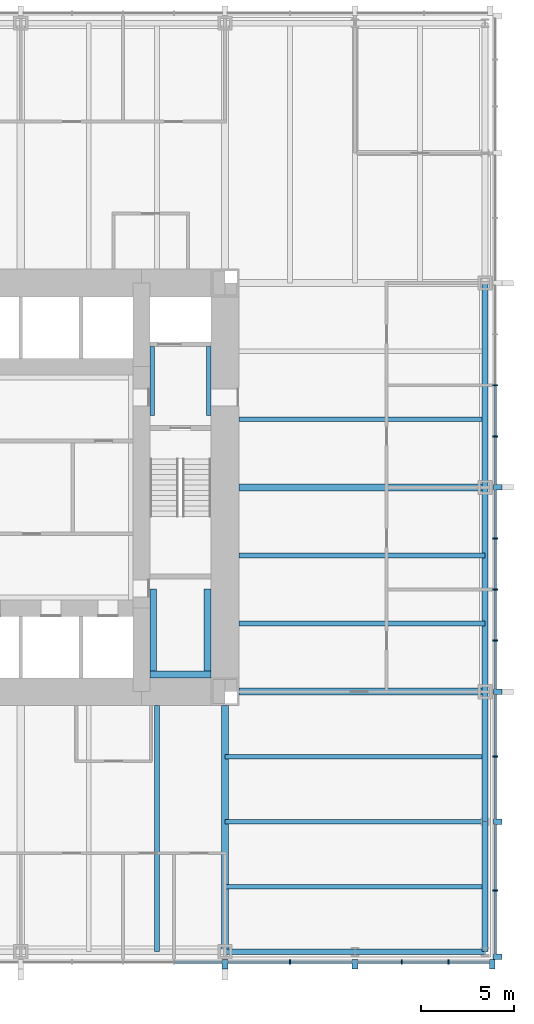
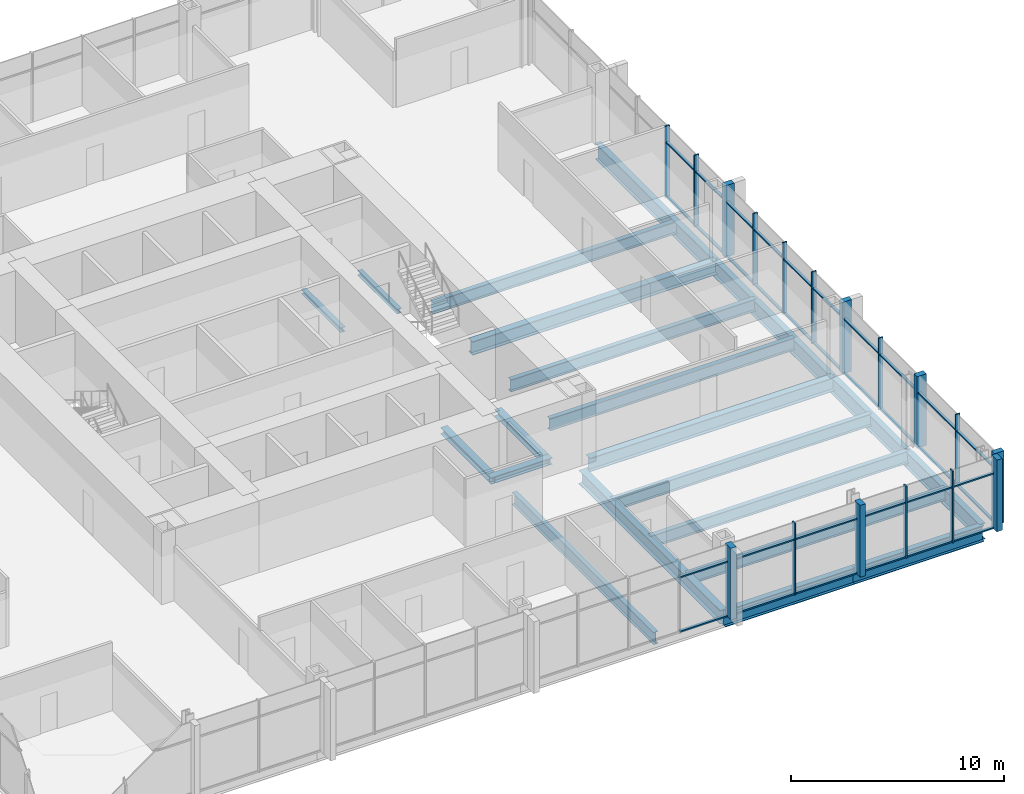
# One storey, part 4 of 12: 49 members, 21 beams, 2 elements without a shape of their own.
"""IFC4 building model written with IfcOpenShell, lengths in metres."""

from ifc_helpers import new_model, si_unit, direction, frame, origin, origin_2d, place, context, subcontext, project, spatial, rectangle, i_section, extrude, material, material_profile, profile_set, type_object, element, aggregate, save


model = new_model("IFC4")

# Units and contexts
model_context = context("Model", 3, precision=1e-05, world=origin(), true_north=direction((0.0, 1.0)))
body_context = subcontext(model_context, "Body", "Model", "MODEL_VIEW")
ifc_project = project(units=[si_unit("LENGTHUNIT", "METRE"), si_unit("AREAUNIT", "SQUARE_METRE"), si_unit("VOLUMEUNIT", "CUBIC_METRE"), si_unit("PLANEANGLEUNIT", "RADIAN"), si_unit("MASSUNIT", "GRAM", prefix="KILO")], contexts=[model_context])

# Site, building, storey
site_placement = place(None, origin())
site = spatial("IfcSite", under=ifc_project, at=site_placement, CompositionType="ELEMENT")
building_placement = place(site_placement, origin())
building = spatial("IfcBuilding", under=site, at=building_placement, Name="Trevanion Tower", CompositionType="ELEMENT")
storey_placement = place(building_placement, frame((0.0, 0.0, 77.5)))
storey = spatial("IfcBuildingStorey", under=building, at=storey_placement, Name="L18", CompositionType="ELEMENT", Elevation=77.5)

# Beams
ifc_material_1 = material(Name="Steel ASTM A992 Grade 50", Category="steel")
ifc_material_profile_1 = material_profile(ifc_material_1, i_section(OverallWidth=0.25390625, OverallDepth=0.700927734375, WebThickness=0.015380859375, FlangeThickness=0.02783203125, at=origin_2d()), Name="W27X129")
ifc_profile_set_1 = profile_set([ifc_material_profile_1], Name="Steel ASTM A992 Grade 50")
beam_type_1 = type_object("IfcBeamType", Name="B3 W27X129", PredefinedType="BEAM", material=ifc_profile_set_1)
for number, where, z_axis, x_axis, name in (
    (1, (11.75, -7.333251953125, -0.54052734375), (1.0, 0.0, 0.0), (0.0, 1.0, 0.0), "B3 L18"),
    (2, (11.75, -3.666748046875, -0.54052734375), (1.0, 0.0, 0.0), (0.0, 1.0, 0.0), "B3 L18"),
    (3, (11.75, 3.666748046875, -0.54052734375), (1.0, 0.0, 0.0), (0.0, 1.0, 0.0), "B3 L18"),
    (4, (7.333251953125, -11.75, -0.54052734375), (0.0, -1.0, 0.0), (1.0, 0.0, 0.0), "B3 L18"),
):
    element("IfcBeam", number, at=place(storey_placement, frame(where, z_axis=z_axis, x_axis=x_axis)), inside=storey, type_object=beam_type_1, Name=name, PredefinedType="BEAM", context=body_context, shape_type="SweptSolid", body=[
        extrude(i_section(OverallWidth=0.25390625, OverallDepth=0.700927734375, WebThickness=0.015380859375, FlangeThickness=0.02783203125, at=origin_2d()), origin(), (0.0, 0.0, 1.0), 13.25),
    ])
ifc_material_2 = material(Name="Steel ASTM A992 Grade 50", Category="steel")
ifc_material_profile_2 = material_profile(ifc_material_2, i_section(OverallWidth=0.256591796875, OverallDepth=0.693359375, WebThickness=0.014404296875, FlangeThickness=0.023681640625, at=origin_2d()), Name="W27X114")
ifc_profile_set_2 = profile_set([ifc_material_profile_2], Name="Steel ASTM A992 Grade 50")
beam_type_2 = type_object("IfcBeamType", Name="B4 W27X114", PredefinedType="BEAM", material=ifc_profile_set_2)
for number, where, z_axis, x_axis, name in (
    (5, (11.0, -14.5, -0.53662109375), (1.0, 0.0, 0.0), (0.0, 1.0, 0.0), "B4 L18"),
    (6, (11.0, -18.0, -0.53662109375), (1.0, 0.0, 0.0), (0.0, 1.0, 0.0), "B4 L18"),
    (7, (11.0, -21.5, -0.53662109375), (1.0, 0.0, 0.0), (0.0, 1.0, 0.0), "B4 L18"),
):
    element("IfcBeam", number, at=place(storey_placement, frame(where, z_axis=z_axis, x_axis=x_axis)), inside=storey, type_object=beam_type_2, Name=name, PredefinedType="BEAM", context=body_context, shape_type="SweptSolid", body=[
        extrude(i_section(OverallWidth=0.256591796875, OverallDepth=0.693359375, WebThickness=0.014404296875, FlangeThickness=0.023681640625, at=origin_2d()), origin(), (0.0, 0.0, 1.0), 14.0),
    ])

# Curtain wall, members
ifc_material_3 = material(Name="Aluminium and glass", Category="aluminium")
curtain_wall_type = type_object("IfcCurtainWallType", Name="CW1 curtain wall", PredefinedType="USERDEFINED", material=ifc_material_3)
curtain_wall_1_placement = place(storey_placement, origin())
curtain_wall_1 = element("IfcCurtainWall", 8, at=curtain_wall_1_placement, inside=storey, type_object=curtain_wall_type, Name="CW1 L18 0", ObjectType="UNITISED CURTAIN WALL", PredefinedType="USERDEFINED")
ifc_material_4 = material(Name="Aluminium extrusion, anodised bronze", Category="aluminium")
ifc_material_profile_3 = material_profile(ifc_material_4, rectangle(XDim=0.074951171875, YDim=0.25, at=origin_2d()), Name="CW1 mullion")
ifc_profile_set_3 = profile_set([ifc_material_profile_3], Name="Aluminium extrusion, anodised bronze")
member_type_1 = type_object("IfcMemberType", Name="CW1 mullion", PredefinedType="MULLION", material=ifc_profile_set_3)
member_1_placement = place(storey_placement, frame((25.550048828125, -21.7099609375, -0.18994140625), z_axis=(0.0, 0.0, 1.0), x_axis=(0.0, 1.0, 0.0)))
member_1 = element("IfcMember", 9, at=member_1_placement, type_object=member_type_1, Name="CW1 mullion 2", PredefinedType="MULLION", context=body_context, shape_type="SweptSolid", body=[
    extrude(rectangle(XDim=0.074951171875, YDim=0.25, at=origin_2d()), origin(), (0.0, 0.0, 1.0), 4.099853515625),
])
member_2_placement = place(storey_placement, frame((25.550048828125, -14.5, -0.18994140625), z_axis=(0.0, 0.0, 1.0), x_axis=(0.0, 1.0, 0.0)))
member_2 = element("IfcMember", 10, at=member_2_placement, type_object=member_type_1, Name="CW1 mullion 4", PredefinedType="MULLION", context=body_context, shape_type="SweptSolid", body=[
    extrude(rectangle(XDim=0.074951171875, YDim=0.25, at=origin_2d()), origin(), (0.0, 0.0, 1.0), 4.099853515625),
])
member_3_placement = place(storey_placement, frame((25.550048828125, -8.25, -0.18994140625), z_axis=(0.0, 0.0, 1.0), x_axis=(0.0, 1.0, 0.0)))
member_3 = element("IfcMember", 11, at=member_3_placement, type_object=member_type_1, Name="CW1 mullion 6", PredefinedType="MULLION", context=body_context, shape_type="SweptSolid", body=[
    extrude(rectangle(XDim=0.074951171875, YDim=0.25, at=origin_2d()), origin(), (0.0, 0.0, 1.0), 4.099853515625),
])
member_4_placement = place(storey_placement, frame((25.550048828125, -5.5, -0.18994140625), z_axis=(0.0, 0.0, 1.0), x_axis=(0.0, 1.0, 0.0)))
member_4 = element("IfcMember", 12, at=member_4_placement, type_object=member_type_1, Name="CW1 mullion 7", PredefinedType="MULLION", context=body_context, shape_type="SweptSolid", body=[
    extrude(rectangle(XDim=0.074951171875, YDim=0.25, at=origin_2d()), origin(), (0.0, 0.0, 1.0), 4.099853515625),
])
member_5_placement = place(storey_placement, frame((25.550048828125, -2.75, -0.18994140625), z_axis=(0.0, 0.0, 1.0), x_axis=(0.0, 1.0, 0.0)))
member_5 = element("IfcMember", 13, at=member_5_placement, type_object=member_type_1, Name="CW1 mullion 8", PredefinedType="MULLION", context=body_context, shape_type="SweptSolid", body=[
    extrude(rectangle(XDim=0.074951171875, YDim=0.25, at=origin_2d()), origin(), (0.0, 0.0, 1.0), 4.099853515625),
])
member_6_placement = place(storey_placement, frame((25.550048828125, 2.75, -0.18994140625), z_axis=(0.0, 0.0, 1.0), x_axis=(0.0, 1.0, 0.0)))
member_6 = element("IfcMember", 14, at=member_6_placement, type_object=member_type_1, Name="CW1 mullion 10", PredefinedType="MULLION", context=body_context, shape_type="SweptSolid", body=[
    extrude(rectangle(XDim=0.074951171875, YDim=0.25, at=origin_2d()), origin(), (0.0, 0.0, 1.0), 4.099853515625),
])
member_7_placement = place(storey_placement, frame((25.550048828125, 5.5, -0.18994140625), z_axis=(0.0, 0.0, 1.0), x_axis=(0.0, 1.0, 0.0)))
member_7 = element("IfcMember", 15, at=member_7_placement, type_object=member_type_1, Name="CW1 mullion 11", PredefinedType="MULLION", context=body_context, shape_type="SweptSolid", body=[
    extrude(rectangle(XDim=0.074951171875, YDim=0.25, at=origin_2d()), origin(), (0.0, 0.0, 1.0), 4.099853515625),
])

curtain_wall_2_placement = place(storey_placement, origin())
curtain_wall_2 = element("IfcCurtainWall", 16, at=curtain_wall_2_placement, inside=storey, type_object=curtain_wall_type, Name="CW1 L18 3", ObjectType="UNITISED CURTAIN WALL", PredefinedType="USERDEFINED")
member_8_placement = place(storey_placement, frame((14.5, -25.550048828125, -0.18994140625), z_axis=(0.0, 0.0, 1.0), x_axis=(1.0, 0.0, 0.0)))
member_8 = element("IfcMember", 17, at=member_8_placement, type_object=member_type_1, Name="CW1 mullion 14", PredefinedType="MULLION", context=body_context, shape_type="SweptSolid", body=[
    extrude(rectangle(XDim=0.074951171875, YDim=0.25, at=origin_2d()), origin(), (0.0, 0.0, 1.0), 4.099853515625),
])
member_9_placement = place(storey_placement, frame((20.5166015625, -25.550048828125, -0.18994140625), z_axis=(0.0, 0.0, 1.0), x_axis=(1.0, 0.0, 0.0)))
member_9 = element("IfcMember", 18, at=member_9_placement, type_object=member_type_1, Name="CW1 mullion 16", PredefinedType="MULLION", context=body_context, shape_type="SweptSolid", body=[
    extrude(rectangle(XDim=0.074951171875, YDim=0.25, at=origin_2d()), origin(), (0.0, 0.0, 1.0), 4.099853515625),
])
member_10_placement = place(storey_placement, frame((23.033203125, -25.550048828125, -0.18994140625), z_axis=(0.0, 0.0, 1.0), x_axis=(1.0, 0.0, 0.0)))
member_10 = element("IfcMember", 19, at=member_10_placement, type_object=member_type_1, Name="CW1 mullion 17", PredefinedType="MULLION", context=body_context, shape_type="SweptSolid", body=[
    extrude(rectangle(XDim=0.074951171875, YDim=0.25, at=origin_2d()), origin(), (0.0, 0.0, 1.0), 4.099853515625),
])

# Member
ifc_material_5 = material(Name="Aluminium extrusion, anodised bronze", Category="aluminium")
ifc_material_profile_4 = material_profile(ifc_material_5, rectangle(XDim=0.300048828125, YDim=0.5, at=origin_2d()), Name="CW1 pier mullion")
ifc_profile_set_4 = profile_set([ifc_material_profile_4], Name="Aluminium extrusion, anodised bronze")
member_type_2 = type_object("IfcMemberType", Name="CW1 pier mullion", PredefinedType="MULLION", material=ifc_profile_set_4)
member_11_placement = place(storey_placement, frame((25.675048828125, -25.27001953125, -0.18994140625), z_axis=(0.0, 0.0, 1.0), x_axis=(0.0, 1.0, 0.0)))
member_11 = element("IfcMember", 20, at=member_11_placement, type_object=member_type_2, Name="CW1 pier mullion 1", PredefinedType="MULLION", context=body_context, shape_type="SweptSolid", body=[
    extrude(rectangle(XDim=0.300048828125, YDim=0.5, at=origin_2d()), origin(), (0.0, 0.0, 1.0), 4.099853515625),
])

member_12_placement = place(storey_placement, frame((25.675048828125, -18.0, -0.18994140625), z_axis=(0.0, 0.0, 1.0), x_axis=(0.0, 1.0, 0.0)))
member_12 = element("IfcMember", 21, at=member_12_placement, type_object=member_type_2, Name="CW1 pier mullion 3", PredefinedType="MULLION", context=body_context, shape_type="SweptSolid", body=[
    extrude(rectangle(XDim=0.300048828125, YDim=0.5, at=origin_2d()), origin(), (0.0, 0.0, 1.0), 4.099853515625),
])

member_13_placement = place(storey_placement, frame((25.675048828125, -11.0, -0.18994140625), z_axis=(0.0, 0.0, 1.0), x_axis=(0.0, 1.0, 0.0)))
member_13 = element("IfcMember", 22, at=member_13_placement, type_object=member_type_2, Name="CW1 pier mullion 5", PredefinedType="MULLION", context=body_context, shape_type="SweptSolid", body=[
    extrude(rectangle(XDim=0.300048828125, YDim=0.5, at=origin_2d()), origin(), (0.0, 0.0, 1.0), 4.099853515625),
])

member_14_placement = place(storey_placement, frame((25.675048828125, 0.0, -0.18994140625), z_axis=(0.0, 0.0, 1.0), x_axis=(0.0, 1.0, 0.0)))
member_14 = element("IfcMember", 23, at=member_14_placement, type_object=member_type_2, Name="CW1 pier mullion 9", PredefinedType="MULLION", context=body_context, shape_type="SweptSolid", body=[
    extrude(rectangle(XDim=0.300048828125, YDim=0.5, at=origin_2d()), origin(), (0.0, 0.0, 1.0), 4.099853515625),
])

member_15_placement = place(storey_placement, frame((11.0, -25.675048828125, -0.18994140625), z_axis=(0.0, 0.0, 1.0), x_axis=(1.0, 0.0, 0.0)))
member_15 = element("IfcMember", 24, at=member_15_placement, type_object=member_type_2, Name="CW1 pier mullion 13", PredefinedType="MULLION", context=body_context, shape_type="SweptSolid", body=[
    extrude(rectangle(XDim=0.300048828125, YDim=0.5, at=origin_2d()), origin(), (0.0, 0.0, 1.0), 4.099853515625),
])

member_16_placement = place(storey_placement, frame((18.0, -25.675048828125, -0.18994140625), z_axis=(0.0, 0.0, 1.0), x_axis=(1.0, 0.0, 0.0)))
member_16 = element("IfcMember", 25, at=member_16_placement, type_object=member_type_2, Name="CW1 pier mullion 15", PredefinedType="MULLION", context=body_context, shape_type="SweptSolid", body=[
    extrude(rectangle(XDim=0.300048828125, YDim=0.5, at=origin_2d()), origin(), (0.0, 0.0, 1.0), 4.099853515625),
])

member_17_placement = place(storey_placement, frame((25.39990234375, -25.675048828125, -0.18994140625), z_axis=(0.0, 0.0, 1.0), x_axis=(1.0, 0.0, 0.0)))
member_17 = element("IfcMember", 26, at=member_17_placement, type_object=member_type_2, Name="CW1 pier mullion 18", PredefinedType="MULLION", context=body_context, shape_type="SweptSolid", body=[
    extrude(rectangle(XDim=0.300048828125, YDim=0.5, at=origin_2d()), origin(), (0.0, 0.0, 1.0), 4.099853515625),
])

ifc_material_6 = material(Name="Aluminium extrusion, anodised bronze", Category="aluminium")
ifc_material_profile_5 = material_profile(ifc_material_6, rectangle(XDim=0.14990234375, YDim=0.074951171875, at=origin_2d()), Name="CW1 transom")
ifc_profile_set_5 = profile_set([ifc_material_profile_5], Name="Aluminium extrusion, anodised bronze")
member_type_3 = type_object("IfcMemberType", Name="CW1 transom", PredefinedType="USERDEFINED", material=ifc_profile_set_5)
member_18_placement = place(storey_placement, frame((25.550048828125, -25.1201171875, -0.152587890625), z_axis=(0.0, 1.0, 0.0), x_axis=(-1.0, 0.0, 0.0)))
member_18 = element("IfcMember", 27, at=member_18_placement, type_object=member_type_3, Name="CW1 transom 1.1", ObjectType="TRANSOM", PredefinedType="USERDEFINED", context=body_context, shape_type="SweptSolid", body=[
    extrude(rectangle(XDim=0.14990234375, YDim=0.074951171875, at=origin_2d()), origin(), (0.0, 0.0, 1.0), 3.37255859375),
])

member_19_placement = place(storey_placement, frame((25.550048828125, -25.1201171875, 2.9599609375), z_axis=(0.0, 1.0, 0.0), x_axis=(-1.0, 0.0, 0.0)))
member_19 = element("IfcMember", 28, at=member_19_placement, type_object=member_type_3, Name="CW1 transom 1.2", ObjectType="TRANSOM", PredefinedType="USERDEFINED", context=body_context, shape_type="SweptSolid", body=[
    extrude(rectangle(XDim=0.14990234375, YDim=0.074951171875, at=origin_2d()), origin(), (0.0, 0.0, 1.0), 3.37255859375),
])

member_20_placement = place(storey_placement, frame((25.550048828125, -21.672607421875, -0.152587890625), z_axis=(0.0, 1.0, 0.0), x_axis=(-1.0, 0.0, 0.0)))
member_20 = element("IfcMember", 29, at=member_20_placement, type_object=member_type_3, Name="CW1 transom 2.1", ObjectType="TRANSOM", PredefinedType="USERDEFINED", context=body_context, shape_type="SweptSolid", body=[
    extrude(rectangle(XDim=0.14990234375, YDim=0.074951171875, at=origin_2d()), origin(), (0.0, 0.0, 1.0), 3.522705078125),
])

member_21_placement = place(storey_placement, frame((25.550048828125, -21.672607421875, 2.9599609375), z_axis=(0.0, 1.0, 0.0), x_axis=(-1.0, 0.0, 0.0)))
member_21 = element("IfcMember", 30, at=member_21_placement, type_object=member_type_3, Name="CW1 transom 2.2", ObjectType="TRANSOM", PredefinedType="USERDEFINED", context=body_context, shape_type="SweptSolid", body=[
    extrude(rectangle(XDim=0.14990234375, YDim=0.074951171875, at=origin_2d()), origin(), (0.0, 0.0, 1.0), 3.522705078125),
])

member_22_placement = place(storey_placement, frame((25.550048828125, -17.85009765625, -0.152587890625), z_axis=(0.0, 1.0, 0.0), x_axis=(-1.0, 0.0, 0.0)))
member_22 = element("IfcMember", 31, at=member_22_placement, type_object=member_type_3, Name="CW1 transom 3.1", ObjectType="TRANSOM", PredefinedType="USERDEFINED", context=body_context, shape_type="SweptSolid", body=[
    extrude(rectangle(XDim=0.14990234375, YDim=0.074951171875, at=origin_2d()), origin(), (0.0, 0.0, 1.0), 3.3125),
])

member_23_placement = place(storey_placement, frame((25.550048828125, -17.85009765625, 2.9599609375), z_axis=(0.0, 1.0, 0.0), x_axis=(-1.0, 0.0, 0.0)))
member_23 = element("IfcMember", 32, at=member_23_placement, type_object=member_type_3, Name="CW1 transom 3.2", ObjectType="TRANSOM", PredefinedType="USERDEFINED", context=body_context, shape_type="SweptSolid", body=[
    extrude(rectangle(XDim=0.14990234375, YDim=0.074951171875, at=origin_2d()), origin(), (0.0, 0.0, 1.0), 3.3125),
])

member_24_placement = place(storey_placement, frame((25.550048828125, -14.46240234375, -0.152587890625), z_axis=(0.0, 1.0, 0.0), x_axis=(-1.0, 0.0, 0.0)))
member_24 = element("IfcMember", 33, at=member_24_placement, type_object=member_type_3, Name="CW1 transom 4.1", ObjectType="TRANSOM", PredefinedType="USERDEFINED", context=body_context, shape_type="SweptSolid", body=[
    extrude(rectangle(XDim=0.14990234375, YDim=0.074951171875, at=origin_2d()), origin(), (0.0, 0.0, 1.0), 3.3125),
])

member_25_placement = place(storey_placement, frame((25.550048828125, -14.46240234375, 2.9599609375), z_axis=(0.0, 1.0, 0.0), x_axis=(-1.0, 0.0, 0.0)))
member_25 = element("IfcMember", 34, at=member_25_placement, type_object=member_type_3, Name="CW1 transom 4.2", ObjectType="TRANSOM", PredefinedType="USERDEFINED", context=body_context, shape_type="SweptSolid", body=[
    extrude(rectangle(XDim=0.14990234375, YDim=0.074951171875, at=origin_2d()), origin(), (0.0, 0.0, 1.0), 3.3125),
])

member_26_placement = place(storey_placement, frame((25.550048828125, -10.85009765625, -0.152587890625), z_axis=(0.0, 1.0, 0.0), x_axis=(-1.0, 0.0, 0.0)))
member_26 = element("IfcMember", 35, at=member_26_placement, type_object=member_type_3, Name="CW1 transom 5.1", ObjectType="TRANSOM", PredefinedType="USERDEFINED", context=body_context, shape_type="SweptSolid", body=[
    extrude(rectangle(XDim=0.14990234375, YDim=0.074951171875, at=origin_2d()), origin(), (0.0, 0.0, 1.0), 2.5625),
])

member_27_placement = place(storey_placement, frame((25.550048828125, -10.85009765625, 2.9599609375), z_axis=(0.0, 1.0, 0.0), x_axis=(-1.0, 0.0, 0.0)))
member_27 = element("IfcMember", 36, at=member_27_placement, type_object=member_type_3, Name="CW1 transom 5.2", ObjectType="TRANSOM", PredefinedType="USERDEFINED", context=body_context, shape_type="SweptSolid", body=[
    extrude(rectangle(XDim=0.14990234375, YDim=0.074951171875, at=origin_2d()), origin(), (0.0, 0.0, 1.0), 2.5625),
])

member_28_placement = place(storey_placement, frame((25.550048828125, -8.21240234375, -0.152587890625), z_axis=(0.0, 1.0, 0.0), x_axis=(-1.0, 0.0, 0.0)))
member_28 = element("IfcMember", 37, at=member_28_placement, type_object=member_type_3, Name="CW1 transom 6.1", ObjectType="TRANSOM", PredefinedType="USERDEFINED", context=body_context, shape_type="SweptSolid", body=[
    extrude(rectangle(XDim=0.14990234375, YDim=0.074951171875, at=origin_2d()), origin(), (0.0, 0.0, 1.0), 2.6748046875),
])

member_29_placement = place(storey_placement, frame((25.550048828125, -8.21240234375, 2.9599609375), z_axis=(0.0, 1.0, 0.0), x_axis=(-1.0, 0.0, 0.0)))
member_29 = element("IfcMember", 38, at=member_29_placement, type_object=member_type_3, Name="CW1 transom 6.2", ObjectType="TRANSOM", PredefinedType="USERDEFINED", context=body_context, shape_type="SweptSolid", body=[
    extrude(rectangle(XDim=0.14990234375, YDim=0.074951171875, at=origin_2d()), origin(), (0.0, 0.0, 1.0), 2.6748046875),
])

member_30_placement = place(storey_placement, frame((25.550048828125, -5.46240234375, -0.152587890625), z_axis=(0.0, 1.0, 0.0), x_axis=(-1.0, 0.0, 0.0)))
member_30 = element("IfcMember", 39, at=member_30_placement, type_object=member_type_3, Name="CW1 transom 7.1", ObjectType="TRANSOM", PredefinedType="USERDEFINED", context=body_context, shape_type="SweptSolid", body=[
    extrude(rectangle(XDim=0.14990234375, YDim=0.074951171875, at=origin_2d()), origin(), (0.0, 0.0, 1.0), 2.6748046875),
])

member_31_placement = place(storey_placement, frame((25.550048828125, -5.46240234375, 2.9599609375), z_axis=(0.0, 1.0, 0.0), x_axis=(-1.0, 0.0, 0.0)))
member_31 = element("IfcMember", 40, at=member_31_placement, type_object=member_type_3, Name="CW1 transom 7.2", ObjectType="TRANSOM", PredefinedType="USERDEFINED", context=body_context, shape_type="SweptSolid", body=[
    extrude(rectangle(XDim=0.14990234375, YDim=0.074951171875, at=origin_2d()), origin(), (0.0, 0.0, 1.0), 2.6748046875),
])

member_32_placement = place(storey_placement, frame((25.550048828125, -2.71240234375, -0.152587890625), z_axis=(0.0, 1.0, 0.0), x_axis=(-1.0, 0.0, 0.0)))
member_32 = element("IfcMember", 41, at=member_32_placement, type_object=member_type_3, Name="CW1 transom 8.1", ObjectType="TRANSOM", PredefinedType="USERDEFINED", context=body_context, shape_type="SweptSolid", body=[
    extrude(rectangle(XDim=0.14990234375, YDim=0.074951171875, at=origin_2d()), origin(), (0.0, 0.0, 1.0), 2.5625),
])

member_33_placement = place(storey_placement, frame((25.550048828125, -2.71240234375, 2.9599609375), z_axis=(0.0, 1.0, 0.0), x_axis=(-1.0, 0.0, 0.0)))
member_33 = element("IfcMember", 42, at=member_33_placement, type_object=member_type_3, Name="CW1 transom 8.2", ObjectType="TRANSOM", PredefinedType="USERDEFINED", context=body_context, shape_type="SweptSolid", body=[
    extrude(rectangle(XDim=0.14990234375, YDim=0.074951171875, at=origin_2d()), origin(), (0.0, 0.0, 1.0), 2.5625),
])

member_34_placement = place(storey_placement, frame((25.550048828125, 0.14990234375, -0.152587890625), z_axis=(0.0, 1.0, 0.0), x_axis=(-1.0, 0.0, 0.0)))
member_34 = element("IfcMember", 43, at=member_34_placement, type_object=member_type_3, Name="CW1 transom 9.1", ObjectType="TRANSOM", PredefinedType="USERDEFINED", context=body_context, shape_type="SweptSolid", body=[
    extrude(rectangle(XDim=0.14990234375, YDim=0.074951171875, at=origin_2d()), origin(), (0.0, 0.0, 1.0), 2.5625),
])

member_35_placement = place(storey_placement, frame((25.550048828125, 0.14990234375, 2.9599609375), z_axis=(0.0, 1.0, 0.0), x_axis=(-1.0, 0.0, 0.0)))
member_35 = element("IfcMember", 44, at=member_35_placement, type_object=member_type_3, Name="CW1 transom 9.2", ObjectType="TRANSOM", PredefinedType="USERDEFINED", context=body_context, shape_type="SweptSolid", body=[
    extrude(rectangle(XDim=0.14990234375, YDim=0.074951171875, at=origin_2d()), origin(), (0.0, 0.0, 1.0), 2.5625),
])

member_36_placement = place(storey_placement, frame((25.550048828125, 2.78759765625, -0.152587890625), z_axis=(0.0, 1.0, 0.0), x_axis=(-1.0, 0.0, 0.0)))
member_36 = element("IfcMember", 45, at=member_36_placement, type_object=member_type_3, Name="CW1 transom 10.1", ObjectType="TRANSOM", PredefinedType="USERDEFINED", context=body_context, shape_type="SweptSolid", body=[
    extrude(rectangle(XDim=0.14990234375, YDim=0.074951171875, at=origin_2d()), origin(), (0.0, 0.0, 1.0), 2.6748046875),
])

member_37_placement = place(storey_placement, frame((25.550048828125, 2.78759765625, 2.9599609375), z_axis=(0.0, 1.0, 0.0), x_axis=(-1.0, 0.0, 0.0)))
member_37 = element("IfcMember", 46, at=member_37_placement, type_object=member_type_3, Name="CW1 transom 10.2", ObjectType="TRANSOM", PredefinedType="USERDEFINED", context=body_context, shape_type="SweptSolid", body=[
    extrude(rectangle(XDim=0.14990234375, YDim=0.074951171875, at=origin_2d()), origin(), (0.0, 0.0, 1.0), 2.6748046875),
])

aggregate(curtain_wall_1, [member_11, member_1, member_12, member_2, member_13, member_3, member_4, member_5, member_14, member_6, member_7, member_18, member_19, member_20, member_21, member_22, member_23, member_24, member_25, member_26, member_27, member_28, member_29, member_30, member_31, member_32, member_33, member_34, member_35, member_36, member_37])

member_38_placement = place(storey_placement, frame((8.28759765625, -25.550048828125, -0.152587890625), z_axis=(1.0, 0.0, 0.0), x_axis=(0.0, 1.0, 0.0)))
member_38 = element("IfcMember", 47, at=member_38_placement, type_object=member_type_3, Name="CW1 transom 12.1", ObjectType="TRANSOM", PredefinedType="USERDEFINED", context=body_context, shape_type="SweptSolid", body=[
    extrude(rectangle(XDim=0.14990234375, YDim=0.074951171875, at=origin_2d()), origin(), (0.0, 0.0, 1.0), 2.5625),
])

member_39_placement = place(storey_placement, frame((8.28759765625, -25.550048828125, 2.9599609375), z_axis=(1.0, 0.0, 0.0), x_axis=(0.0, 1.0, 0.0)))
member_39 = element("IfcMember", 48, at=member_39_placement, type_object=member_type_3, Name="CW1 transom 12.2", ObjectType="TRANSOM", PredefinedType="USERDEFINED", context=body_context, shape_type="SweptSolid", body=[
    extrude(rectangle(XDim=0.14990234375, YDim=0.074951171875, at=origin_2d()), origin(), (0.0, 0.0, 1.0), 2.5625),
])

member_40_placement = place(storey_placement, frame((11.14990234375, -25.550048828125, -0.152587890625), z_axis=(1.0, 0.0, 0.0), x_axis=(0.0, 1.0, 0.0)))
member_40 = element("IfcMember", 49, at=member_40_placement, type_object=member_type_3, Name="CW1 transom 13.1", ObjectType="TRANSOM", PredefinedType="USERDEFINED", context=body_context, shape_type="SweptSolid", body=[
    extrude(rectangle(XDim=0.14990234375, YDim=0.074951171875, at=origin_2d()), origin(), (0.0, 0.0, 1.0), 3.3125),
])

member_41_placement = place(storey_placement, frame((11.14990234375, -25.550048828125, 2.9599609375), z_axis=(1.0, 0.0, 0.0), x_axis=(0.0, 1.0, 0.0)))
member_41 = element("IfcMember", 50, at=member_41_placement, type_object=member_type_3, Name="CW1 transom 13.2", ObjectType="TRANSOM", PredefinedType="USERDEFINED", context=body_context, shape_type="SweptSolid", body=[
    extrude(rectangle(XDim=0.14990234375, YDim=0.074951171875, at=origin_2d()), origin(), (0.0, 0.0, 1.0), 3.3125),
])

member_42_placement = place(storey_placement, frame((14.53759765625, -25.550048828125, -0.152587890625), z_axis=(1.0, 0.0, 0.0), x_axis=(0.0, 1.0, 0.0)))
member_42 = element("IfcMember", 51, at=member_42_placement, type_object=member_type_3, Name="CW1 transom 14.1", ObjectType="TRANSOM", PredefinedType="USERDEFINED", context=body_context, shape_type="SweptSolid", body=[
    extrude(rectangle(XDim=0.14990234375, YDim=0.074951171875, at=origin_2d()), origin(), (0.0, 0.0, 1.0), 3.3125),
])

member_43_placement = place(storey_placement, frame((14.53759765625, -25.550048828125, 2.9599609375), z_axis=(1.0, 0.0, 0.0), x_axis=(0.0, 1.0, 0.0)))
member_43 = element("IfcMember", 52, at=member_43_placement, type_object=member_type_3, Name="CW1 transom 14.2", ObjectType="TRANSOM", PredefinedType="USERDEFINED", context=body_context, shape_type="SweptSolid", body=[
    extrude(rectangle(XDim=0.14990234375, YDim=0.074951171875, at=origin_2d()), origin(), (0.0, 0.0, 1.0), 3.3125),
])

member_44_placement = place(storey_placement, frame((18.14990234375, -25.550048828125, -0.152587890625), z_axis=(1.0, 0.0, 0.0), x_axis=(0.0, 1.0, 0.0)))
member_44 = element("IfcMember", 53, at=member_44_placement, type_object=member_type_3, Name="CW1 transom 15.1", ObjectType="TRANSOM", PredefinedType="USERDEFINED", context=body_context, shape_type="SweptSolid", body=[
    extrude(rectangle(XDim=0.14990234375, YDim=0.074951171875, at=origin_2d()), origin(), (0.0, 0.0, 1.0), 2.329345703125),
])

member_45_placement = place(storey_placement, frame((18.14990234375, -25.550048828125, 2.9599609375), z_axis=(1.0, 0.0, 0.0), x_axis=(0.0, 1.0, 0.0)))
member_45 = element("IfcMember", 54, at=member_45_placement, type_object=member_type_3, Name="CW1 transom 15.2", ObjectType="TRANSOM", PredefinedType="USERDEFINED", context=body_context, shape_type="SweptSolid", body=[
    extrude(rectangle(XDim=0.14990234375, YDim=0.074951171875, at=origin_2d()), origin(), (0.0, 0.0, 1.0), 2.329345703125),
])

member_46_placement = place(storey_placement, frame((20.55419921875, -25.550048828125, -0.152587890625), z_axis=(1.0, 0.0, 0.0), x_axis=(0.0, 1.0, 0.0)))
member_46 = element("IfcMember", 55, at=member_46_placement, type_object=member_type_3, Name="CW1 transom 16.1", ObjectType="TRANSOM", PredefinedType="USERDEFINED", context=body_context, shape_type="SweptSolid", body=[
    extrude(rectangle(XDim=0.14990234375, YDim=0.074951171875, at=origin_2d()), origin(), (0.0, 0.0, 1.0), 2.441650390625),
])

member_47_placement = place(storey_placement, frame((20.55419921875, -25.550048828125, 2.9599609375), z_axis=(1.0, 0.0, 0.0), x_axis=(0.0, 1.0, 0.0)))
member_47 = element("IfcMember", 56, at=member_47_placement, type_object=member_type_3, Name="CW1 transom 16.2", ObjectType="TRANSOM", PredefinedType="USERDEFINED", context=body_context, shape_type="SweptSolid", body=[
    extrude(rectangle(XDim=0.14990234375, YDim=0.074951171875, at=origin_2d()), origin(), (0.0, 0.0, 1.0), 2.441650390625),
])

member_48_placement = place(storey_placement, frame((23.07080078125, -25.550048828125, -0.152587890625), z_axis=(1.0, 0.0, 0.0), x_axis=(0.0, 1.0, 0.0)))
member_48 = element("IfcMember", 57, at=member_48_placement, type_object=member_type_3, Name="CW1 transom 17.1", ObjectType="TRANSOM", PredefinedType="USERDEFINED", context=body_context, shape_type="SweptSolid", body=[
    extrude(rectangle(XDim=0.14990234375, YDim=0.074951171875, at=origin_2d()), origin(), (0.0, 0.0, 1.0), 2.17919921875),
])

member_49_placement = place(storey_placement, frame((23.07080078125, -25.550048828125, 2.9599609375), z_axis=(1.0, 0.0, 0.0), x_axis=(0.0, 1.0, 0.0)))
member_49 = element("IfcMember", 58, at=member_49_placement, type_object=member_type_3, Name="CW1 transom 17.2", ObjectType="TRANSOM", PredefinedType="USERDEFINED", context=body_context, shape_type="SweptSolid", body=[
    extrude(rectangle(XDim=0.14990234375, YDim=0.074951171875, at=origin_2d()), origin(), (0.0, 0.0, 1.0), 2.17919921875),
])

aggregate(curtain_wall_2, [member_15, member_8, member_16, member_9, member_10, member_17, member_38, member_39, member_40, member_41, member_42, member_43, member_44, member_45, member_46, member_47, member_48, member_49])

# Beams
ifc_material_7 = material(Name="Steel ASTM A992 Grade 50", Category="steel")
ifc_material_profile_6 = material_profile(ifc_material_7, i_section(OverallWidth=0.381103515625, OverallDepth=0.77978515625, WebThickness=0.01806640625, FlangeThickness=0.0302734375, at=origin_2d()), Name="W30X191")
ifc_profile_set_6 = profile_set([ifc_material_profile_6], Name="Steel ASTM A992 Grade 50")
beam_type_3 = type_object("IfcBeamType", Name="G2 W30X191", PredefinedType="BEAM", material=ifc_profile_set_6)
for number, where, z_axis, x_axis, name in (
    (59, (11.75, -11.0, -0.579833984375), (1.0, 0.0, 0.0), (0.0, 1.0, 0.0), "G2 L18"),
    (60, (11.75, 0.0, -0.579833984375), (1.0, 0.0, 0.0), (0.0, 1.0, 0.0), "G2 L18"),
    (61, (11.0, -11.75, -0.579833984375), (0.0, -1.0, 0.0), (1.0, 0.0, 0.0), "G2 L18"),
):
    element("IfcBeam", number, at=place(storey_placement, frame(where, z_axis=z_axis, x_axis=x_axis)), inside=storey, type_object=beam_type_3, Name=name, PredefinedType="BEAM", context=body_context, shape_type="SweptSolid", body=[
        extrude(i_section(OverallWidth=0.381103515625, OverallDepth=0.77978515625, WebThickness=0.01806640625, FlangeThickness=0.0302734375, at=origin_2d()), origin(), (0.0, 0.0, 1.0), 13.25),
    ])
ifc_material_8 = material(Name="Steel ASTM A992 Grade 50", Category="steel")
ifc_material_profile_7 = material_profile(ifc_material_8, i_section(OverallWidth=0.256591796875, OverallDepth=0.26416015625, WebThickness=0.011962890625, FlangeThickness=0.01953125, at=origin_2d()), Name="W10X68")
ifc_profile_set_7 = profile_set([ifc_material_profile_7], Name="Steel ASTM A992 Grade 50")
beam_type_4 = type_object("IfcBeamType", Name="LB1 W10X68", PredefinedType="BEAM", material=ifc_profile_set_7)
for number, where, z_axis, x_axis, name in (
    (62, (7.078369140625, 3.875, -0.33203125), (0.0, 1.0, 0.0), (-1.0, 0.0, 0.0), "LB1 L18"),
    (63, (10.12158203125, 3.875, -0.33203125), (0.0, 1.0, 0.0), (-1.0, 0.0, 0.0), "LB1 L18"),
):
    element("IfcBeam", number, at=place(storey_placement, frame(where, z_axis=z_axis, x_axis=x_axis)), inside=storey, type_object=beam_type_4, Name=name, PredefinedType="BEAM", context=body_context, shape_type="SweptSolid", body=[
        extrude(i_section(OverallWidth=0.256591796875, OverallDepth=0.26416015625, WebThickness=0.011962890625, FlangeThickness=0.01953125, at=origin_2d()), origin(), (0.0, 0.0, 1.0), 3.699951171875),
    ])
ifc_material_9 = material(Name="Steel ASTM A992 Grade 50", Category="steel")
ifc_material_profile_8 = material_profile(ifc_material_9, i_section(OverallWidth=0.373291015625, OverallDepth=0.373291015625, WebThickness=0.016357421875, FlangeThickness=0.026123046875, at=origin_2d()), Name="W14X132")
ifc_profile_set_8 = profile_set([ifc_material_profile_8], Name="Steel ASTM A992 Grade 50")
beam_type_5 = type_object("IfcBeamType", Name="LB2 W14X132", PredefinedType="BEAM", material=ifc_profile_set_8)
for number, where, z_axis, x_axis, name in (
    (64, (7.13671875, -10.25, -0.38671875), (0.0, 1.0, 0.0), (-1.0, 0.0, 0.0), "LB2 L18"),
    (65, (10.063232421875, -10.25, -0.38671875), (0.0, 1.0, 0.0), (-1.0, 0.0, 0.0), "LB2 L18"),
):
    element("IfcBeam", number, at=place(storey_placement, frame(where, z_axis=z_axis, x_axis=x_axis)), inside=storey, type_object=beam_type_5, Name=name, PredefinedType="BEAM", context=body_context, shape_type="SweptSolid", body=[
        extrude(i_section(OverallWidth=0.373291015625, OverallDepth=0.373291015625, WebThickness=0.016357421875, FlangeThickness=0.026123046875, at=origin_2d()), origin(), (0.0, 0.0, 1.0), 4.77490234375),
    ])
beam_placement = place(storey_placement, frame((6.949951171875, -10.063232421875, -0.38671875), z_axis=(1.0, 0.0, 0.0), x_axis=(0.0, 1.0, 0.0)))
element("IfcBeam", 66, at=beam_placement, inside=storey, type_object=beam_type_5, Name="LB2 L18", PredefinedType="BEAM", context=body_context, shape_type="SweptSolid", body=[
    extrude(i_section(OverallWidth=0.373291015625, OverallDepth=0.373291015625, WebThickness=0.016357421875, FlangeThickness=0.026123046875, at=origin_2d()), origin(), (0.0, 0.0, 1.0), 3.300048828125),
])
ifc_material_10 = material(Name="Steel ASTM A992 Grade 50", Category="steel")
ifc_material_profile_9 = material_profile(ifc_material_10, i_section(OverallWidth=0.307373046875, OverallDepth=0.927001953125, WebThickness=0.01953125, FlangeThickness=0.031982421875, at=origin_2d()), Name="W36X194")
ifc_profile_set_9 = profile_set([ifc_material_profile_9], Name="Steel ASTM A992 Grade 50")
beam_type_6 = type_object("IfcBeamType", Name="SB2 W36X194", PredefinedType="SPANDREL", material=ifc_profile_set_9)
for number, where, z_axis, x_axis, name in (
    (67, (25.0, -25.0, -0.653564453125), (0.0, 1.0, 0.0), (-1.0, 0.0, 0.0), "SB2 L18"),
    (68, (25.0, -18.0, -0.653564453125), (0.0, 1.0, 0.0), (-1.0, 0.0, 0.0), "SB2 L18"),
):
    element("IfcBeam", number, at=place(storey_placement, frame(where, z_axis=z_axis, x_axis=x_axis)), inside=storey, type_object=beam_type_6, Name=name, PredefinedType="SPANDREL", context=body_context, shape_type="SweptSolid", body=[
        extrude(i_section(OverallWidth=0.307373046875, OverallDepth=0.927001953125, WebThickness=0.01953125, FlangeThickness=0.031982421875, at=origin_2d()), origin(), (0.0, 0.0, 1.0), 7.0),
    ])
for number, where, z_axis, x_axis, name in (
    (69, (25.0, -11.0, -0.653564453125), (0.0, 1.0, 0.0), (-1.0, 0.0, 0.0), "SB2 L18"),
    (70, (25.0, 0.0, -0.653564453125), (0.0, 1.0, 0.0), (-1.0, 0.0, 0.0), "SB2 L18"),
):
    element("IfcBeam", number, at=place(storey_placement, frame(where, z_axis=z_axis, x_axis=x_axis)), inside=storey, type_object=beam_type_6, Name=name, PredefinedType="SPANDREL", context=body_context, shape_type="SweptSolid", body=[
        extrude(i_section(OverallWidth=0.307373046875, OverallDepth=0.927001953125, WebThickness=0.01953125, FlangeThickness=0.031982421875, at=origin_2d()), origin(), (0.0, 0.0, 1.0), 11.0),
    ])
for number, where, z_axis, x_axis, name in (
    (71, (11.0, -25.0, -0.653564453125), (1.0, 0.0, 0.0), (0.0, 1.0, 0.0), "SB2 L18"),
    (72, (18.0, -25.0, -0.653564453125), (1.0, 0.0, 0.0), (0.0, 1.0, 0.0), "SB2 L18"),
):
    element("IfcBeam", number, at=place(storey_placement, frame(where, z_axis=z_axis, x_axis=x_axis)), inside=storey, type_object=beam_type_6, Name=name, PredefinedType="SPANDREL", context=body_context, shape_type="SweptSolid", body=[
        extrude(i_section(OverallWidth=0.307373046875, OverallDepth=0.927001953125, WebThickness=0.01953125, FlangeThickness=0.031982421875, at=origin_2d()), origin(), (0.0, 0.0, 1.0), 7.0),
    ])

save(model, "model.ifc")
